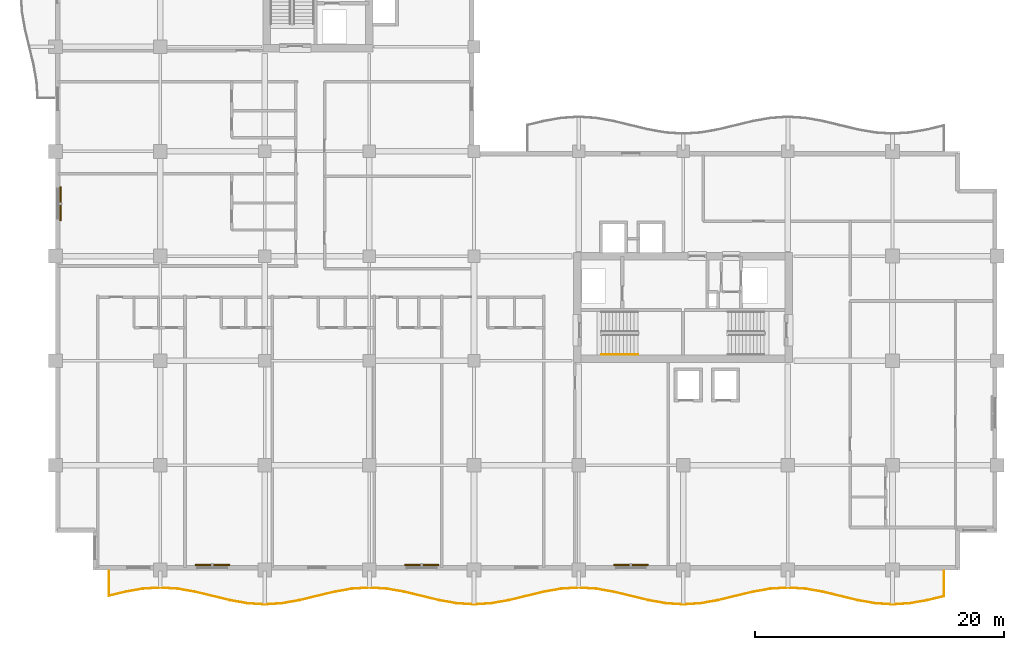
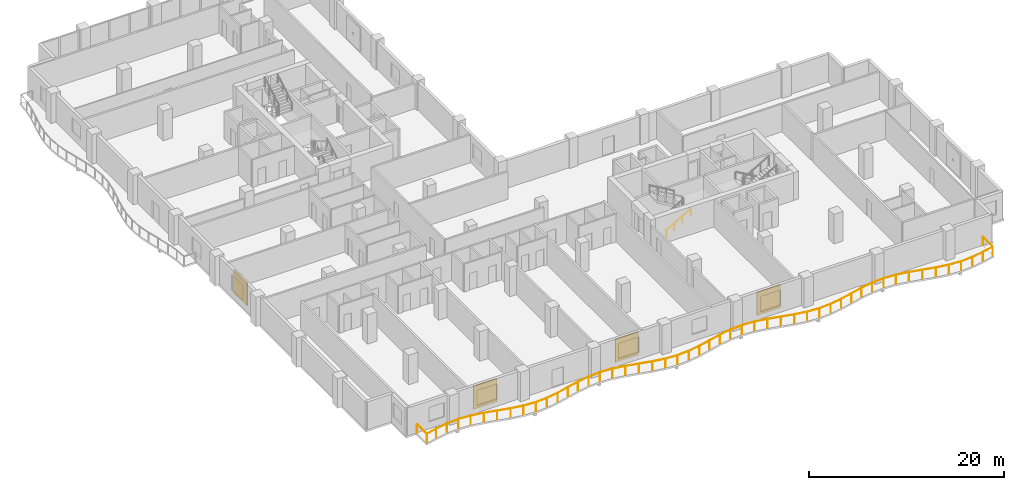
# One storey, part 16 of 19: 4 shading devices, 2 railings.
"""IFC4 building model written with IfcOpenShell, lengths in metres."""

from ifc_helpers import new_model, si_unit, direction, frame, origin, origin_2d, place, context, subcontext, project, spatial, rectangle, circle, extrude, material, layer, layer_set, type_object, element, save


model = new_model("IFC4")

# Units and contexts
model_context = context("Model", 3, precision=1e-05, world=origin(), true_north=direction((0.0, 1.0)))
body_context = subcontext(model_context, "Body", "Model", "MODEL_VIEW")
ifc_project = project(units=[si_unit("LENGTHUNIT", "METRE"), si_unit("AREAUNIT", "SQUARE_METRE"), si_unit("VOLUMEUNIT", "CUBIC_METRE"), si_unit("PLANEANGLEUNIT", "RADIAN"), si_unit("MASSUNIT", "GRAM", prefix="KILO")], contexts=[model_context])

# Site, building, storey
site_placement = place(None, origin())
site = spatial("IfcSite", under=ifc_project, at=site_placement, CompositionType="ELEMENT")
building_placement = place(site_placement, origin())
building = spatial("IfcBuilding", under=site, at=building_placement, Name="Koriwani Terraces Tower", CompositionType="ELEMENT")
storey_placement = place(building_placement, frame((0.0, 0.0, 190.199951171875)))
storey = spatial("IfcBuildingStorey", under=building, at=storey_placement, Name="L46", CompositionType="ELEMENT", Elevation=190.199951171875)

# Railings
ifc_material_1 = material(Name="Steel ASTM A572 Grade 50", Category="steel")
railing_type_1 = type_object("IfcRailingType", Name="GUARD_BALUSTRADE_1150", PredefinedType="BALUSTRADE", material=ifc_material_1)
railing_1_placement = place(storey_placement, frame((4.280029296875, -0.080078125, 0.0)))
element("IfcRailing", 1, at=railing_1_placement, inside=storey, type_object=railing_type_1, Name="L46 Balcony Perimeter Safety Balustrade (S)", PredefinedType="BALUSTRADE", context=body_context, shape_type="SweptSolid", body=[
    extrude(circle(Radius=0.02392578125, at=origin_2d()), frame((0.0, 0.0, 1.1259765625), z_axis=(0.0, -1.0, 0.0), x_axis=(1.0, 0.0, 0.0)), (0.0, 0.0, 1.0), 1.993408203125),
    extrude(circle(Radius=0.02392578125, at=origin_2d()), frame((0.0, -1.993408203125, 1.1259765625), z_axis=(0.972163766848, 0.234302390999, 0.0), x_axis=(-0.234302390999, 0.972163766848, 0.0)), (0.0, 0.0, 1.0), 1.341064453125),
    extrude(circle(Radius=0.02392578125, at=origin_2d()), frame((1.3037109375, -1.67919921875, 1.1259765625), z_axis=(0.984778396698, 0.173814583381, 0.0), x_axis=(-0.173814583381, 0.984778396698, 0.0)), (0.0, 0.0, 1.0), 1.428466796875),
    extrude(circle(Radius=0.02392578125, at=origin_2d()), frame((2.71044921875, -1.430908203125, 1.1259765625), z_axis=(0.997930321615, 0.064304534842, 0.0), x_axis=(-0.064304534842, 0.997930321615, 0.0)), (0.0, 0.0, 1.0), 1.412353515625),
    extrude(circle(Radius=0.02392578125, at=origin_2d()), frame((4.119873046875, -1.340087890625, 1.1259765625), z_axis=(0.997931036226, -0.064293443969, 0.0), x_axis=(0.064293443969, 0.997931036226, 0.0)), (0.0, 0.0, 1.0), 1.41259765625),
    extrude(circle(Radius=0.02392578125, at=origin_2d()), frame((5.529541015625, -1.430908203125, 1.1259765625), z_axis=(0.984778396698, -0.173814583381, 0.0), x_axis=(0.173814583381, 0.984778396698, 0.0)), (0.0, 0.0, 1.0), 1.428466796875),
    extrude(circle(Radius=0.02392578125, at=origin_2d()), frame((6.936279296875, -1.67919921875, 1.1259765625), z_axis=(0.972166814785, -0.234289744186, 0.0), x_axis=(0.234289744186, 0.972166814785, 0.0)), (0.0, 0.0, 1.0), 2.880126953125),
    extrude(circle(Radius=0.02392578125, at=origin_2d()), frame((9.736328125, -2.35400390625, 1.1259765625), z_axis=(0.984757491153, -0.173932985997, 0.0), x_axis=(0.173932985997, 0.984757491153, 0.0)), (0.0, 0.0, 1.0), 1.414794921875),
    extrude(circle(Radius=0.02392578125, at=origin_2d()), frame((11.129638671875, -2.60009765625, 1.1259765625), z_axis=(0.997930027485, -0.064309099225, 0.0), x_axis=(0.064309099225, 0.997930027485, 0.0)), (0.0, 0.0, 1.0), 1.393310546875),
    extrude(circle(Radius=0.02392578125, at=origin_2d()), frame((12.52001953125, -2.689697265625, 1.1259765625), z_axis=(0.997930027485, 0.064309099225, 0.0), x_axis=(-0.064309099225, 0.997930027485, 0.0)), (0.0, 0.0, 1.0), 1.393310546875),
    extrude(circle(Radius=0.02392578125, at=origin_2d()), frame((13.910400390625, -2.60009765625, 1.1259765625), z_axis=(0.984757491153, 0.173932985997, 0.0), x_axis=(-0.173932985997, 0.984757491153, 0.0)), (0.0, 0.0, 1.0), 1.414794921875),
    extrude(circle(Radius=0.02392578125, at=origin_2d()), frame((15.3037109375, -2.35400390625, 1.1259765625), z_axis=(0.972166814785, 0.234289744186, 0.0), x_axis=(-0.234289744186, 0.972166814785, 0.0)), (0.0, 0.0, 1.0), 2.880126953125),
    extrude(circle(Radius=0.02392578125, at=origin_2d()), frame((18.103759765625, -1.67919921875, 1.1259765625), z_axis=(0.984778396698, 0.173814583381, 0.0), x_axis=(-0.173814583381, 0.984778396698, 0.0)), (0.0, 0.0, 1.0), 1.428466796875),
    extrude(circle(Radius=0.02392578125, at=origin_2d()), frame((19.510498046875, -1.430908203125, 1.1259765625), z_axis=(0.997930321615, 0.064304534842, 0.0), x_axis=(-0.064304534842, 0.997930321615, 0.0)), (0.0, 0.0, 1.0), 1.412353515625),
    extrude(circle(Radius=0.02392578125, at=origin_2d()), frame((20.919921875, -1.340087890625, 1.1259765625), z_axis=(0.997931036226, -0.064293443969, 0.0), x_axis=(0.064293443969, 0.997931036226, 0.0)), (0.0, 0.0, 1.0), 1.41259765625),
    extrude(circle(Radius=0.02392578125, at=origin_2d()), frame((22.32958984375, -1.430908203125, 1.1259765625), z_axis=(0.984778396698, -0.173814583381, 0.0), x_axis=(0.173814583381, 0.984778396698, 0.0)), (0.0, 0.0, 1.0), 1.428466796875),
    extrude(circle(Radius=0.02392578125, at=origin_2d()), frame((23.736328125, -1.67919921875, 1.1259765625), z_axis=(0.972166814785, -0.234289744186, 0.0), x_axis=(0.234289744186, 0.972166814785, 0.0)), (0.0, 0.0, 1.0), 2.880126953125),
    extrude(circle(Radius=0.02392578125, at=origin_2d()), frame((26.536376953125, -2.35400390625, 1.1259765625), z_axis=(0.984757491153, -0.173932985997, 0.0), x_axis=(0.173932985997, 0.984757491153, 0.0)), (0.0, 0.0, 1.0), 1.414794921875),
    extrude(circle(Radius=0.02392578125, at=origin_2d()), frame((27.9296875, -2.60009765625, 1.1259765625), z_axis=(0.997930027485, -0.064309099225, 0.0), x_axis=(0.064309099225, 0.997930027485, 0.0)), (0.0, 0.0, 1.0), 1.393310546875),
    extrude(circle(Radius=0.02392578125, at=origin_2d()), frame((29.320068359375, -2.689697265625, 1.1259765625), z_axis=(0.997930027485, 0.064309099225, 0.0), x_axis=(-0.064309099225, 0.997930027485, 0.0)), (0.0, 0.0, 1.0), 1.393310546875),
    extrude(circle(Radius=0.02392578125, at=origin_2d()), frame((30.71044921875, -2.60009765625, 1.1259765625), z_axis=(0.984757491153, 0.173932985997, 0.0), x_axis=(-0.173932985997, 0.984757491153, 0.0)), (0.0, 0.0, 1.0), 1.414794921875),
    extrude(circle(Radius=0.02392578125, at=origin_2d()), frame((32.103759765625, -2.35400390625, 1.1259765625), z_axis=(0.97216216133, 0.234309052487, 0.0), x_axis=(-0.234309052487, 0.97216216133, 0.0)), (0.0, 0.0, 1.0), 2.8798828125),
    extrude(circle(Radius=0.02392578125, at=origin_2d()), frame((34.903564453125, -1.67919921875, 1.1259765625), z_axis=(0.984783558818, 0.173785333909, 0.0), x_axis=(-0.173785333909, 0.984783558818, 0.0)), (0.0, 0.0, 1.0), 1.4287109375),
    extrude(circle(Radius=0.02392578125, at=origin_2d()), frame((36.310546875, -1.430908203125, 1.1259765625), z_axis=(0.997930321615, 0.064304534842, 0.0), x_axis=(-0.064304534842, 0.997930321615, 0.0)), (0.0, 0.0, 1.0), 1.412353515625),
    extrude(circle(Radius=0.02392578125, at=origin_2d()), frame((37.719970703125, -1.340087890625, 1.1259765625), z_axis=(0.997930321615, -0.064304534842, 0.0), x_axis=(0.064304534842, 0.997930321615, 0.0)), (0.0, 0.0, 1.0), 1.412353515625),
    extrude(circle(Radius=0.02392578125, at=origin_2d()), frame((39.12939453125, -1.430908203125, 1.1259765625), z_axis=(0.984783558818, -0.173785333909, 0.0), x_axis=(0.173785333909, 0.984783558818, 0.0)), (0.0, 0.0, 1.0), 1.4287109375),
    extrude(circle(Radius=0.02392578125, at=origin_2d()), frame((40.536376953125, -1.67919921875, 1.1259765625), z_axis=(0.97216216133, -0.234309052487, 0.0), x_axis=(0.234309052487, 0.97216216133, 0.0)), (0.0, 0.0, 1.0), 2.8798828125),
    extrude(circle(Radius=0.02392578125, at=origin_2d()), frame((43.336181640625, -2.35400390625, 1.1259765625), z_axis=(0.984757491153, -0.173932985997, 0.0), x_axis=(0.173932985997, 0.984757491153, 0.0)), (0.0, 0.0, 1.0), 1.414794921875),
    extrude(circle(Radius=0.02392578125, at=origin_2d()), frame((44.7294921875, -2.60009765625, 1.1259765625), z_axis=(0.997930027485, -0.064309099225, 0.0), x_axis=(0.064309099225, 0.997930027485, 0.0)), (0.0, 0.0, 1.0), 1.393310546875),
    extrude(circle(Radius=0.02392578125, at=origin_2d()), frame((46.119873046875, -2.689697265625, 1.1259765625), z_axis=(0.997930027485, 0.064309099225, 0.0), x_axis=(-0.064309099225, 0.997930027485, 0.0)), (0.0, 0.0, 1.0), 1.393310546875),
    extrude(circle(Radius=0.02392578125, at=origin_2d()), frame((47.51025390625, -2.60009765625, 1.1259765625), z_axis=(0.984757491153, 0.173932985997, 0.0), x_axis=(-0.173932985997, 0.984757491153, 0.0)), (0.0, 0.0, 1.0), 1.414794921875),
    extrude(circle(Radius=0.02392578125, at=origin_2d()), frame((48.903564453125, -2.35400390625, 1.1259765625), z_axis=(0.972166814785, 0.234289744186, 0.0), x_axis=(-0.234289744186, 0.972166814785, 0.0)), (0.0, 0.0, 1.0), 2.880126953125),
    extrude(circle(Radius=0.02392578125, at=origin_2d()), frame((51.70361328125, -1.67919921875, 1.1259765625), z_axis=(0.984778396698, 0.173814583381, 0.0), x_axis=(-0.173814583381, 0.984778396698, 0.0)), (0.0, 0.0, 1.0), 1.428466796875),
    extrude(circle(Radius=0.02392578125, at=origin_2d()), frame((53.1103515625, -1.430908203125, 1.1259765625), z_axis=(0.997931036226, 0.064293443969, 0.0), x_axis=(-0.064293443969, 0.997931036226, 0.0)), (0.0, 0.0, 1.0), 1.41259765625),
    extrude(circle(Radius=0.02392578125, at=origin_2d()), frame((54.52001953125, -1.340087890625, 1.1259765625), z_axis=(0.997930321615, -0.064304534842, 0.0), x_axis=(0.064304534842, 0.997930321615, 0.0)), (0.0, 0.0, 1.0), 1.412353515625),
    extrude(circle(Radius=0.02392578125, at=origin_2d()), frame((55.929443359375, -1.430908203125, 1.1259765625), z_axis=(0.984778396698, -0.173814583381, 0.0), x_axis=(0.173814583381, 0.984778396698, 0.0)), (0.0, 0.0, 1.0), 1.428466796875),
    extrude(circle(Radius=0.02392578125, at=origin_2d()), frame((57.336181640625, -1.67919921875, 1.1259765625), z_axis=(0.972166814785, -0.234289744186, 0.0), x_axis=(0.234289744186, 0.972166814785, 0.0)), (0.0, 0.0, 1.0), 2.880126953125),
    extrude(circle(Radius=0.02392578125, at=origin_2d()), frame((60.13623046875, -2.35400390625, 1.1259765625), z_axis=(0.984757491153, -0.173932985997, 0.0), x_axis=(0.173932985997, 0.984757491153, 0.0)), (0.0, 0.0, 1.0), 1.414794921875),
    extrude(circle(Radius=0.02392578125, at=origin_2d()), frame((61.529541015625, -2.60009765625, 1.1259765625), z_axis=(0.997930027485, -0.064309099225, 0.0), x_axis=(0.064309099225, 0.997930027485, 0.0)), (0.0, 0.0, 1.0), 1.393310546875),
    extrude(circle(Radius=0.02392578125, at=origin_2d()), frame((62.919921875, -2.689697265625, 1.1259765625), z_axis=(0.997930027485, 0.064309099225, 0.0), x_axis=(-0.064309099225, 0.997930027485, 0.0)), (0.0, 0.0, 1.0), 1.393310546875),
    extrude(circle(Radius=0.02392578125, at=origin_2d()), frame((64.310302734375, -2.60009765625, 1.1259765625), z_axis=(0.984757491153, 0.173932985997, 0.0), x_axis=(-0.173932985997, 0.984757491153, 0.0)), (0.0, 0.0, 1.0), 1.414794921875),
    extrude(circle(Radius=0.02392578125, at=origin_2d()), frame((65.70361328125, -2.35400390625, 1.1259765625), z_axis=(0.97217571982, 0.234252790362, 0.0), x_axis=(-0.234252790362, 0.97217571982, 0.0)), (0.0, 0.0, 1.0), 1.374755859375),
    extrude(circle(Radius=0.02392578125, at=origin_2d()), frame((67.0400390625, -2.031982421875, 1.1259765625), z_axis=(0.0, 1.0, 0.0), x_axis=(-1.0, 0.0, 0.0)), (0.0, 0.0, 1.0), 2.031982421875),
    extrude(circle(Radius=0.02099609375, at=origin_2d()), origin(), (0.0, 0.0, 1.0), 1.101806640625),
    extrude(circle(Radius=0.02099609375, at=origin_2d()), frame((0.0, -1.993408203125, 0.0)), (0.0, 0.0, 1.0), 1.101806640625),
    extrude(circle(Radius=0.02099609375, at=origin_2d()), frame((1.3037109375, -1.67919921875, 0.0)), (0.0, 0.0, 1.0), 1.101806640625),
    extrude(circle(Radius=0.02099609375, at=origin_2d()), frame((2.71044921875, -1.430908203125, 0.0)), (0.0, 0.0, 1.0), 1.101806640625),
    extrude(circle(Radius=0.02099609375, at=origin_2d()), frame((4.119873046875, -1.340087890625, 0.0)), (0.0, 0.0, 1.0), 1.101806640625),
    extrude(circle(Radius=0.02099609375, at=origin_2d()), frame((5.529541015625, -1.430908203125, 0.0)), (0.0, 0.0, 1.0), 1.101806640625),
    extrude(circle(Radius=0.02099609375, at=origin_2d()), frame((6.936279296875, -1.67919921875, 0.0)), (0.0, 0.0, 1.0), 1.101806640625),
    extrude(circle(Radius=0.02099609375, at=origin_2d()), frame((8.33642578125, -2.0166015625, 0.0)), (0.0, 0.0, 1.0), 1.101806640625),
    extrude(circle(Radius=0.02099609375, at=origin_2d()), frame((9.736328125, -2.35400390625, 0.0)), (0.0, 0.0, 1.0), 1.101806640625),
    extrude(circle(Radius=0.02099609375, at=origin_2d()), frame((11.129638671875, -2.60009765625, 0.0)), (0.0, 0.0, 1.0), 1.101806640625),
    extrude(circle(Radius=0.02099609375, at=origin_2d()), frame((12.52001953125, -2.689697265625, 0.0)), (0.0, 0.0, 1.0), 1.101806640625),
    extrude(circle(Radius=0.02099609375, at=origin_2d()), frame((13.910400390625, -2.60009765625, 0.0)), (0.0, 0.0, 1.0), 1.101806640625),
    extrude(circle(Radius=0.02099609375, at=origin_2d()), frame((15.3037109375, -2.35400390625, 0.0)), (0.0, 0.0, 1.0), 1.101806640625),
    extrude(circle(Radius=0.02099609375, at=origin_2d()), frame((16.70361328125, -2.0166015625, 0.0)), (0.0, 0.0, 1.0), 1.101806640625),
    extrude(circle(Radius=0.02099609375, at=origin_2d()), frame((18.103759765625, -1.67919921875, 0.0)), (0.0, 0.0, 1.0), 1.101806640625),
    extrude(circle(Radius=0.02099609375, at=origin_2d()), frame((19.510498046875, -1.430908203125, 0.0)), (0.0, 0.0, 1.0), 1.101806640625),
    extrude(circle(Radius=0.02099609375, at=origin_2d()), frame((20.919921875, -1.340087890625, 0.0)), (0.0, 0.0, 1.0), 1.101806640625),
    extrude(circle(Radius=0.02099609375, at=origin_2d()), frame((22.32958984375, -1.430908203125, 0.0)), (0.0, 0.0, 1.0), 1.101806640625),
    extrude(circle(Radius=0.02099609375, at=origin_2d()), frame((23.736328125, -1.67919921875, 0.0)), (0.0, 0.0, 1.0), 1.101806640625),
    extrude(circle(Radius=0.02099609375, at=origin_2d()), frame((25.13623046875, -2.0166015625, 0.0)), (0.0, 0.0, 1.0), 1.101806640625),
    extrude(circle(Radius=0.02099609375, at=origin_2d()), frame((26.536376953125, -2.35400390625, 0.0)), (0.0, 0.0, 1.0), 1.101806640625),
    extrude(circle(Radius=0.02099609375, at=origin_2d()), frame((27.9296875, -2.60009765625, 0.0)), (0.0, 0.0, 1.0), 1.101806640625),
    extrude(circle(Radius=0.02099609375, at=origin_2d()), frame((29.320068359375, -2.689697265625, 0.0)), (0.0, 0.0, 1.0), 1.101806640625),
    extrude(circle(Radius=0.02099609375, at=origin_2d()), frame((30.71044921875, -2.60009765625, 0.0)), (0.0, 0.0, 1.0), 1.101806640625),
    extrude(circle(Radius=0.02099609375, at=origin_2d()), frame((32.103759765625, -2.35400390625, 0.0)), (0.0, 0.0, 1.0), 1.101806640625),
    extrude(circle(Radius=0.02099609375, at=origin_2d()), frame((33.503662109375, -2.0166015625, 0.0)), (0.0, 0.0, 1.0), 1.101806640625),
    extrude(circle(Radius=0.02099609375, at=origin_2d()), frame((34.903564453125, -1.67919921875, 0.0)), (0.0, 0.0, 1.0), 1.101806640625),
    extrude(circle(Radius=0.02099609375, at=origin_2d()), frame((36.310546875, -1.430908203125, 0.0)), (0.0, 0.0, 1.0), 1.101806640625),
    extrude(circle(Radius=0.02099609375, at=origin_2d()), frame((37.719970703125, -1.340087890625, 0.0)), (0.0, 0.0, 1.0), 1.101806640625),
    extrude(circle(Radius=0.02099609375, at=origin_2d()), frame((39.12939453125, -1.430908203125, 0.0)), (0.0, 0.0, 1.0), 1.101806640625),
    extrude(circle(Radius=0.02099609375, at=origin_2d()), frame((40.536376953125, -1.67919921875, 0.0)), (0.0, 0.0, 1.0), 1.101806640625),
    extrude(circle(Radius=0.02099609375, at=origin_2d()), frame((41.936279296875, -2.0166015625, 0.0)), (0.0, 0.0, 1.0), 1.101806640625),
    extrude(circle(Radius=0.02099609375, at=origin_2d()), frame((43.336181640625, -2.35400390625, 0.0)), (0.0, 0.0, 1.0), 1.101806640625),
    extrude(circle(Radius=0.02099609375, at=origin_2d()), frame((44.7294921875, -2.60009765625, 0.0)), (0.0, 0.0, 1.0), 1.101806640625),
    extrude(circle(Radius=0.02099609375, at=origin_2d()), frame((46.119873046875, -2.689697265625, 0.0)), (0.0, 0.0, 1.0), 1.101806640625),
    extrude(circle(Radius=0.02099609375, at=origin_2d()), frame((47.51025390625, -2.60009765625, 0.0)), (0.0, 0.0, 1.0), 1.101806640625),
    extrude(circle(Radius=0.02099609375, at=origin_2d()), frame((48.903564453125, -2.35400390625, 0.0)), (0.0, 0.0, 1.0), 1.101806640625),
    extrude(circle(Radius=0.02099609375, at=origin_2d()), frame((50.3037109375, -2.0166015625, 0.0)), (0.0, 0.0, 1.0), 1.101806640625),
    extrude(circle(Radius=0.02099609375, at=origin_2d()), frame((51.70361328125, -1.67919921875, 0.0)), (0.0, 0.0, 1.0), 1.101806640625),
    extrude(circle(Radius=0.02099609375, at=origin_2d()), frame((53.1103515625, -1.430908203125, 0.0)), (0.0, 0.0, 1.0), 1.101806640625),
    extrude(circle(Radius=0.02099609375, at=origin_2d()), frame((54.52001953125, -1.340087890625, 0.0)), (0.0, 0.0, 1.0), 1.101806640625),
    extrude(circle(Radius=0.02099609375, at=origin_2d()), frame((55.929443359375, -1.430908203125, 0.0)), (0.0, 0.0, 1.0), 1.101806640625),
    extrude(circle(Radius=0.02099609375, at=origin_2d()), frame((57.336181640625, -1.67919921875, 0.0)), (0.0, 0.0, 1.0), 1.101806640625),
    extrude(circle(Radius=0.02099609375, at=origin_2d()), frame((58.736328125, -2.0166015625, 0.0)), (0.0, 0.0, 1.0), 1.101806640625),
    extrude(circle(Radius=0.02099609375, at=origin_2d()), frame((60.13623046875, -2.35400390625, 0.0)), (0.0, 0.0, 1.0), 1.101806640625),
    extrude(circle(Radius=0.02099609375, at=origin_2d()), frame((61.529541015625, -2.60009765625, 0.0)), (0.0, 0.0, 1.0), 1.101806640625),
    extrude(circle(Radius=0.02099609375, at=origin_2d()), frame((62.919921875, -2.689697265625, 0.0)), (0.0, 0.0, 1.0), 1.101806640625),
    extrude(circle(Radius=0.02099609375, at=origin_2d()), frame((64.310302734375, -2.60009765625, 0.0)), (0.0, 0.0, 1.0), 1.101806640625),
    extrude(circle(Radius=0.02099609375, at=origin_2d()), frame((65.70361328125, -2.35400390625, 0.0)), (0.0, 0.0, 1.0), 1.101806640625),
    extrude(circle(Radius=0.02099609375, at=origin_2d()), frame((67.0400390625, -2.031982421875, 0.0)), (0.0, 0.0, 1.0), 1.101806640625),
    extrude(circle(Radius=0.02099609375, at=origin_2d()), frame((67.0400390625, 0.0, 0.0)), (0.0, 0.0, 1.0), 1.101806640625),
])
railing_type_2 = type_object("IfcRailingType", Name="HANDRAIL_STAIR_920", PredefinedType="HANDRAIL", material=ifc_material_1)
railing_2_placement = place(storey_placement, frame((43.85009765625, 17.300048828125, 0.168212890625)))
element("IfcRailing", 2, at=railing_2_placement, inside=storey, type_object=railing_type_2, Name="L46 ST-E1 stair handrail 1", PredefinedType="HANDRAIL", context=body_context, shape_type="SweptSolid", body=[
    extrude(circle(Radius=0.02392578125, at=origin_2d()), frame((0.0, 0.0, 0.8759765625), z_axis=(0.865038774852, 0.0, 0.501705010941), x_axis=(0.0, 1.0, 0.0)), (0.0, 0.0, 1.0), 3.352294921875),
    extrude(circle(Radius=0.02099609375, at=origin_2d()), origin(), (0.0, 0.0, 1.0), 0.851806640625),
    extrude(circle(Radius=0.02099609375, at=origin_2d()), frame((0.966552734375, 0.0, 0.560546875)), (0.0, 0.0, 1.0), 0.851806640625),
    extrude(circle(Radius=0.02099609375, at=origin_2d()), frame((1.933349609375, 0.0, 1.121337890625)), (0.0, 0.0, 1.0), 0.851806640625),
    extrude(circle(Radius=0.02099609375, at=origin_2d()), frame((2.89990234375, 0.0, 1.681884765625)), (0.0, 0.0, 1.0), 0.851806640625),
])

# Shading devices
ifc_material_2 = material(Name="Extruded Terracotta Clay", Category="masonry")
ifc_layer = layer(ifc_material_2, 0.1201171875, Name="Extruded Terracotta Clay")
ifc_layer_set = layer_set([ifc_layer], Name="Extruded Terracotta Clay")
shading_device_type = type_object("IfcShadingDeviceType", Name="TERRACOTTA_BAGUETTE_SCREEN_2800", PredefinedType="USERDEFINED", material=ifc_layer_set)
for number, where, z_axis, x_axis, name in (
    (3, (0.405029296875, 29.39990234375, 0.28515625), (0.0, 0.0, 1.0), (0.0, 1.0, 0.0), "L46 Extruded Terracotta Baguette Screen (W-9)"),
    (4, (12.60009765625, 0.405029296875, 0.28515625), (0.0, 0.0, 1.0), (-1.0, 0.0, 0.0), "L46 Extruded Terracotta Baguette Screen (S-3)"),
    (5, (29.39990234375, 0.405029296875, 0.28515625), (0.0, 0.0, 1.0), (-1.0, 0.0, 0.0), "L46 Extruded Terracotta Baguette Screen (S-9)"),
    (6, (46.199951171875, 0.405029296875, 0.28515625), (0.0, 0.0, 1.0), (-1.0, 0.0, 0.0), "L46 Extruded Terracotta Baguette Screen (S-15)"),
):
    element("IfcShadingDevice", number, at=place(storey_placement, frame(where, z_axis=z_axis, x_axis=x_axis)), inside=storey, type_object=shading_device_type, Name=name, ObjectType="BAGUETTE", PredefinedType="USERDEFINED", context=body_context, shape_type="SweptSolid", body=[
        extrude(rectangle(XDim=2.760009765625, YDim=0.1201171875, at=origin_2d()), origin(), (0.0, 0.0, 1.0), 2.89990234375),
    ])

save(model, "model.ifc")
